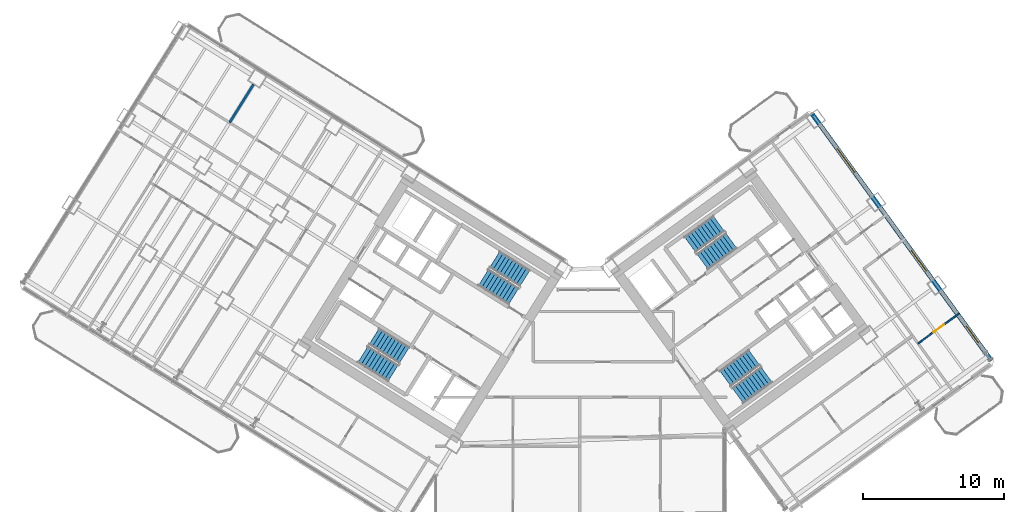
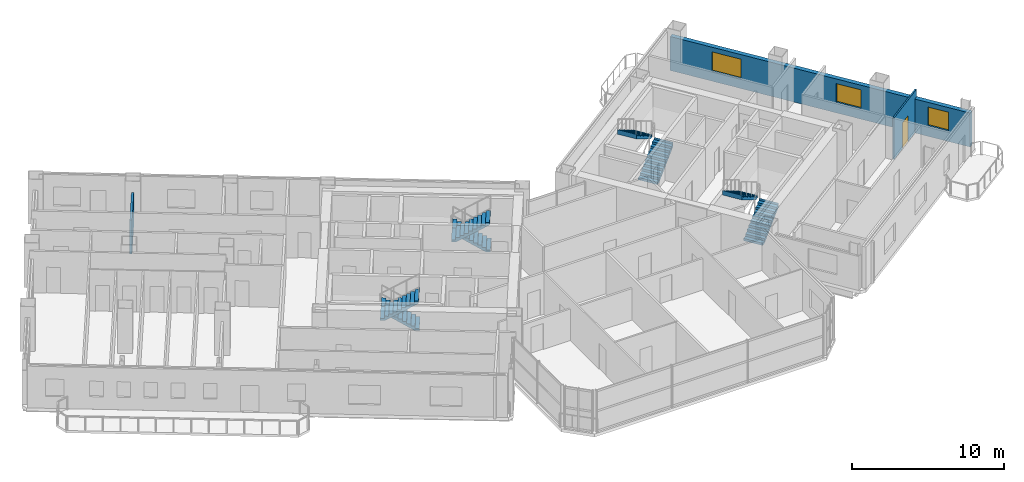
# One storey, part 20 of 28: 8 stair flights, 3 walls, 3 windows, 1 door, 4 openings, 4 elements without a shape of their own.
"""IFC4 building model written with IfcOpenShell, lengths in metres."""

import ifcopenshell
import ifcopenshell.guid

model = None  # the IFC model being written
_history = None  # IfcOwnerHistory: only IFC2X3 demands one
_inside = {}  # id of a spatial element -> (the spatial element, [elements in it])
_under = {}  # id of a project, library or spatial element -> (it, [spatial elements below it])
_declared = {}  # id of a project -> (the project, [libraries it declares])
_typed = {}  # id of a type object -> (the type object, [elements of that type])
_made_of = {}  # id of a material, layer set ... -> (it, [elements and type objects made of it])


def new_model(schema):
    """Start an empty IFC model of exactly this schema.

    Asked for "IFC4X3", IfcOpenShell would pick the latest addendum, in which some entities
    have other attributes; the version numbers below select the first issue.
    IFC2X3 requires an IfcOwnerHistory on every rooted entity: one is made here for all.
    """
    global model, _history
    if schema == "IFC4X3":
        model = ifcopenshell.file(schema_version=(4, 3, 0, 0))
    else:
        model = ifcopenshell.file(schema=schema)
    _inside.clear()
    _under.clear()
    _declared.clear()
    _typed.clear()
    _made_of.clear()
    _history = None
    if model.schema == "IFC2X3":
        org = make("IfcOrganization", Name="unknown")
        user = make(
            "IfcPersonAndOrganization",
            ThePerson=make("IfcPerson", FamilyName="unknown"),
            TheOrganization=org,
        )
        app = make(
            "IfcApplication",
            ApplicationDeveloper=org,
            Version="unknown",
            ApplicationFullName="unknown",
            ApplicationIdentifier="unknown",
        )
        _history = make(
            "IfcOwnerHistory",
            OwningUser=user,
            OwningApplication=app,
            ChangeAction="ADDED",
            CreationDate=0,
        )
    return model


def make(cls, **values):
    """One entity of the class cls with the attributes given. An attribute that is None is left unset."""
    return model.create_entity(
        cls, **{name: value for name, value in values.items() if value is not None}
    )


def rooted(cls, **values):
    """An entity with a GlobalId (a new one), such as an element, a storey or a relation."""
    return make(cls, GlobalId=ifcopenshell.guid.new(), OwnerHistory=_history, **values)


def si_unit(unit_type, name, prefix=None):
    """IfcSIUnit, for example si_unit("LENGTHUNIT", "METRE", prefix="MILLI")."""
    return make("IfcSIUnit", UnitType=unit_type, Prefix=prefix, Name=name)


def assignment(units):
    """IfcUnitAssignment: the units of a project."""
    return None if units is None else make("IfcUnitAssignment", Units=units)


def point(xyz):
    """IfcCartesianPoint."""
    return None if xyz is None else make("IfcCartesianPoint", Coordinates=xyz)


def direction(xyz):
    """IfcDirection."""
    return None if xyz is None else make("IfcDirection", DirectionRatios=xyz)


def frame(location, z_axis=None, x_axis=None):
    """IfcAxis2Placement3D, a coordinate frame: its origin and axes. An axis left out is left unset."""
    return make(
        "IfcAxis2Placement3D",
        Location=point(location),
        Axis=direction(z_axis),
        RefDirection=direction(x_axis),
    )


def frame_2d(location, x_axis=None):
    """IfcAxis2Placement2D, a coordinate frame in the plane: its origin and x axis."""
    return make(
        "IfcAxis2Placement2D", Location=point(location), RefDirection=direction(x_axis)
    )


def origin():
    """The frame at (0, 0, 0) with its axes left unset."""
    return frame((0.0, 0.0, 0.0))


def place(relative_to, where):
    """IfcLocalPlacement: puts the frame where relative to a parent placement (None: the world)."""
    return make(
        "IfcLocalPlacement", PlacementRelTo=relative_to, RelativePlacement=where
    )


def context(
    kind, dimensions, precision=None, world=None, true_north=None, identifier=None
):
    """IfcGeometricRepresentationContext, for example the 3D "Model" context."""
    return make(
        "IfcGeometricRepresentationContext",
        ContextIdentifier=identifier,
        ContextType=kind,
        CoordinateSpaceDimension=dimensions,
        Precision=precision,
        WorldCoordinateSystem=world,
        TrueNorth=true_north,
    )


def subcontext(parent, identifier, kind, view, scale=None):
    """IfcGeometricRepresentationSubContext, for example "Body" below "Model"."""
    return make(
        "IfcGeometricRepresentationSubContext",
        ContextIdentifier=identifier,
        ContextType=kind,
        ParentContext=parent,
        TargetScale=scale,
        TargetView=view,
    )


def project(units=None, contexts=None):
    """IfcProject with its units and contexts."""
    return rooted(
        "IfcProject",
        Name="project",
        RepresentationContexts=contexts,
        UnitsInContext=assignment(units),
    )


def spatial(cls, under=None, at=None, **own):
    """A site, building, storey or space (cls), placed at a placement, below another one or the project."""
    s = rooted(cls, ObjectPlacement=at, **own)
    if under is not None:
        _under.setdefault(under.id(), (under, []))[1].append(s)
    return s


def polyline(points):
    """IfcPolyline through the points."""
    return make("IfcPolyline", Points=[point(p) for p in points])


def profile(cls, at=None, kind="AREA", **sizes):
    """A parametric profile (cls). Its sizes go by their IFC names, for example OverallWidth=200.0."""
    return make(cls, ProfileType=kind, Position=at, **sizes)


def rectangle(**sizes):
    """IfcRectangleProfileDef."""
    return profile("IfcRectangleProfileDef", **sizes)


def outline(outer, holes=None, kind="AREA"):
    """IfcArbitraryClosedProfileDef: a profile drawn as a closed curve; with holes, ...WithVoids."""
    if holes is None:
        return make("IfcArbitraryClosedProfileDef", ProfileType=kind, OuterCurve=outer)
    return make(
        "IfcArbitraryProfileDefWithVoids",
        ProfileType=kind,
        OuterCurve=outer,
        InnerCurves=holes,
    )


def extrude(swept, where, along, depth):
    """IfcExtrudedAreaSolid: the profile swept, set in the frame where, extruded along a direction by depth."""
    return make(
        "IfcExtrudedAreaSolid",
        SweptArea=swept,
        Position=where,
        ExtrudedDirection=direction(along),
        Depth=depth,
    )


def shape(context_of_items, identifier, shape_type, items):
    """IfcShapeRepresentation: the items that make up one representation, for example the "Body"."""
    return make(
        "IfcShapeRepresentation",
        ContextOfItems=context_of_items,
        RepresentationIdentifier=identifier,
        RepresentationType=shape_type,
        Items=items,
    )


def source(mapping_origin, context_of_items, identifier, shape_type, items):
    """IfcRepresentationMap: a shape defined once, which mapped items show again and again."""
    return make(
        "IfcRepresentationMap",
        MappingOrigin=mapping_origin,
        MappedRepresentation=shape(context_of_items, identifier, shape_type, items),
    )


def transform(
    local_origin,
    x_axis=None,
    y_axis=None,
    z_axis=None,
    scale=None,
    scale2=None,
    scale3=None,
    uniform=True,
):
    """IfcCartesianTransformationOperator3D, or its non-uniform kind. x_axis, y_axis, z_axis: its Axis1, 2, 3."""
    if uniform:
        return make(
            "IfcCartesianTransformationOperator3D",
            Axis1=direction(x_axis),
            Axis2=direction(y_axis),
            LocalOrigin=point(local_origin),
            Scale=scale,
            Axis3=direction(z_axis),
        )
    return make(
        "IfcCartesianTransformationOperator3DnonUniform",
        Axis1=direction(x_axis),
        Axis2=direction(y_axis),
        LocalOrigin=point(local_origin),
        Scale=scale,
        Axis3=direction(z_axis),
        Scale2=scale2,
        Scale3=scale3,
    )


def mapped(mapping_source, mapping_target):
    """IfcMappedItem: shows the shape of a source again, moved by a transform."""
    return make(
        "IfcMappedItem", MappingSource=mapping_source, MappingTarget=mapping_target
    )


def material(Name=None, Category=None):
    """IfcMaterial."""
    return make("IfcMaterial", Name=Name, Category=Category)


def layer(
    of_material, thickness, ventilated=None, Name=None, Category=None, Priority=None
):
    """IfcMaterialLayer: one layer of a wall or slab, of a material (None: an air gap)."""
    return make(
        "IfcMaterialLayer",
        Material=of_material,
        LayerThickness=thickness,
        IsVentilated=ventilated,
        Name=Name,
        Category=Category,
        Priority=Priority,
    )


def layer_set(layers, Name=None):
    """IfcMaterialLayerSet."""
    return make("IfcMaterialLayerSet", MaterialLayers=layers, LayerSetName=Name)


def made_of(thing, what):
    """Note that an element or type object is made of a material, layer set ...; save() writes the relation."""
    if what is not None:
        _made_of.setdefault(what.id(), (what, []))[1].append(thing)
    return thing


def type_object(cls, material=None, **own):
    """A type object (cls), such as IfcWallType, which elements share."""
    return made_of(rooted(cls, **own), material)


def element(
    cls,
    number,
    at=None,
    inside=None,
    cuts=None,
    type_object=None,
    material=None,
    context=None,
    identifier="Body",
    shape_type=None,
    held_by="IfcProductDefinitionShape",
    body=None,
    shapes=None,
    **own,
):
    """One element of the class cls, such as IfcWall. Its Tag is "e" and its number.

    at: its placement. inside: the storey or other place that contains it. cuts: it is an
    opening in that element (IfcRelVoidsElement). A single representation is given by context,
    identifier, shape_type and body (its items); several are given by shapes. held_by: the class
    of the entity that holds the representations. save() writes the other relations.
    """
    e = rooted(cls, Tag="e%d" % number, ObjectPlacement=at, **own)
    if body is not None:
        shapes = [shape(context, identifier, shape_type, body)]
    if shapes is not None:
        e.Representation = make(held_by, Representations=shapes)
    if inside is not None:
        _inside.setdefault(inside.id(), (inside, []))[1].append(e)
    if cuts is not None:
        rooted(
            "IfcRelVoidsElement", RelatingBuildingElement=cuts, RelatedOpeningElement=e
        )
    if type_object is not None:
        _typed.setdefault(type_object.id(), (type_object, []))[1].append(e)
    return made_of(e, material)


def fill(opening, filler):
    """IfcRelFillsElement: the door or window that sits in an opening."""
    return rooted(
        "IfcRelFillsElement",
        RelatingOpeningElement=opening,
        RelatedBuildingElement=filler,
    )


def aggregate(whole, parts):
    """IfcRelAggregates: a whole, such as a stair, and the parts it consists of."""
    return rooted("IfcRelAggregates", RelatingObject=whole, RelatedObjects=parts)


def save(model, path):
    """Write the relations noted so far, then the file.

    IfcRelAggregates (storeys below a building ...), IfcRelContainedInSpatialStructure (elements
    in a storey), IfcRelDefinesByType, IfcRelAssociatesMaterial and IfcRelDeclares: one each for
    every whole, place, type object, material and project.
    """
    for whole, parts in _under.values():
        aggregate(whole, parts)
    for where, things in _inside.values():
        rooted(
            "IfcRelContainedInSpatialStructure",
            RelatedElements=things,
            RelatingStructure=where,
        )
    for kind, things in _typed.values():
        rooted("IfcRelDefinesByType", RelatedObjects=things, RelatingType=kind)
    for what, things in _made_of.values():
        rooted("IfcRelAssociatesMaterial", RelatedObjects=things, RelatingMaterial=what)
    for by, libraries in _declared.values():
        rooted("IfcRelDeclares", RelatingContext=by, RelatedDefinitions=libraries)
    model.write(path)


model = new_model("IFC4")

# Units and contexts
model_context = context("Model", 3, precision=1e-05, world=origin(), true_north=direction((0.0, 1.0)))
body_context = subcontext(model_context, "Body", "Model", "MODEL_VIEW")
ifc_project = project(units=[si_unit("LENGTHUNIT", "METRE"), si_unit("AREAUNIT", "SQUARE_METRE"), si_unit("VOLUMEUNIT", "CUBIC_METRE"), si_unit("PLANEANGLEUNIT", "RADIAN"), si_unit("MASSUNIT", "GRAM", prefix="KILO")], contexts=[model_context])

# Site, building, storey
site_placement = place(None, origin())
site = spatial("IfcSite", under=ifc_project, at=site_placement, CompositionType="ELEMENT")
building_placement = place(site_placement, origin())
building = spatial("IfcBuilding", under=site, at=building_placement, Name="Tlacorven Tower", CompositionType="ELEMENT")
storey_placement = place(building_placement, frame((0.0, 0.0, 27.60009765625)))
storey = spatial("IfcBuildingStorey", under=building, at=storey_placement, Name="L06", CompositionType="ELEMENT", Elevation=27.60009765625)

# Wall
ifc_material_1 = material(Name="Gypsum plasterboard acoustic partition", Category="gypsum")
ifc_layer_1 = layer(ifc_material_1, 0.159912109375)
ifc_layer_set_1 = layer_set([ifc_layer_1], Name="Gypsum plasterboard acoustic partition")
wall_type_1 = type_object("IfcWallType", Name="WL-DEM-160", PredefinedType="PARTITIONING", material=ifc_layer_set_1)
wall_1_placement = place(storey_placement, frame((18.799072265625, 37.601806640625, 0.0), z_axis=(0.0, 0.0, 1.0), x_axis=(-0.529930102756, -0.848041323399, 0.0)))
element("IfcWall", 1, at=wall_1_placement, inside=storey, type_object=wall_type_1, Name="L06 partition 68", PredefinedType="PARTITIONING", context=body_context, shape_type="SweptSolid", body=[
    extrude(rectangle(XDim=3.18798828125, YDim=0.159912109375, at=frame_2d((1.593994140625, 0.0))), origin(), (0.0, 0.0, 1.0), 2.724853515625),
])

# Wall, openings, windows
ifc_material_2 = material(Name="Precast concrete C45/55", Category="concrete")
ifc_layer_2 = layer(ifc_material_2, 0.320068359375)
ifc_layer_set_2 = layer_set([ifc_layer_2], Name="Precast concrete C45/55")
wall_type_2 = type_object("IfcWallType", Name="WL-EXT-320", PredefinedType="STANDARD", material=ifc_layer_set_2)
wall_2_placement = place(storey_placement, frame((58.45458984375, 35.483642578125, 0.0), z_axis=(0.0, 0.0, 1.0), x_axis=(0.587783625747, -0.809018176127, 0.0)))
wall_2 = element("IfcWall", 2, at=wall_2_placement, inside=storey, type_object=wall_type_2, Name="L06 Masonry-Frame Recessed Facade Wall 5", PredefinedType="STANDARD", context=body_context, shape_type="SweptSolid", body=[
    extrude(rectangle(XDim=21.58740234375, YDim=0.320068359375, at=frame_2d((10.793701171875, 0.0))), origin(), (0.0, 0.0, 1.0), 2.724853515625),
])
opening_1_placement = place(wall_2_placement, frame((2.99365234375, 0.0, 0.800048828125)))
opening_1 = element("IfcOpeningElement", 3, at=opening_1_placement, cuts=wall_2, Name="Opening WN04", PredefinedType="OPENING", context=body_context, shape_type="SweptSolid", body=[
    extrude(rectangle(XDim=2.10009765625, YDim=1.550048828125, at=frame_2d((1.050048828125, 0.77490234375))), frame((0.0, 0.169921875, 0.0), z_axis=(0.0, -1.0, 0.0), x_axis=(1.0, 0.0, 0.0)), (0.0, 0.0, 1.0), 0.340087890625),
])
opening_2_placement = place(wall_2_placement, frame((11.93359375, 0.0, 0.85009765625)))
opening_2 = element("IfcOpeningElement", 4, at=opening_2_placement, cuts=wall_2, Name="Opening WN01", PredefinedType="OPENING", context=body_context, shape_type="SweptSolid", body=[
    extrude(rectangle(XDim=1.800048828125, YDim=1.5, at=frame_2d((0.89990234375, 0.75))), frame((0.0, 0.169921875, 0.0), z_axis=(0.0, -1.0, 0.0), x_axis=(1.0, 0.0, 0.0)), (0.0, 0.0, 1.0), 0.340087890625),
])
opening_3_placement = place(wall_2_placement, frame((18.53466796875, 0.0, 0.85009765625)))
opening_3 = element("IfcOpeningElement", 5, at=opening_3_placement, cuts=wall_2, Name="Opening WN02", PredefinedType="OPENING", context=body_context, shape_type="SweptSolid", body=[
    extrude(rectangle(XDim=1.5, YDim=1.5, at=frame_2d((0.75, 0.75))), frame((0.0, 0.169921875, 0.0), z_axis=(0.0, -1.0, 0.0), x_axis=(1.0, 0.0, 0.0)), (0.0, 0.0, 1.0), 0.340087890625),
])
ifc_material_3 = material(Name="Dark solar low-E double glazing in anodised aluminium frame", Category="aluminium")
window_type_1 = type_object("IfcWindowType", Name="WN-APT-2100X1750", PartitioningType="SINGLE_PANEL", PredefinedType="WINDOW", material=ifc_material_3)
shared_shape_1 = source(origin(), body_context, "Body", "SweptSolid", [
    extrude(rectangle(XDim=2.10009765625, YDim=1.550048828125, at=frame_2d((1.050048828125, 0.77490234375))), frame((0.0, 0.030029296875, 0.0), z_axis=(0.0, -1.0, 0.0), x_axis=(1.0, 0.0, 0.0)), (0.0, 0.0, 1.0), 0.06005859375),
])
window_1_placement = place(opening_1_placement, origin())
window_1 = element("IfcWindow", 6, at=window_1_placement, inside=storey, type_object=window_type_1, Name="L06 Recessed Masonry-Frame Window L06-05.1", OverallHeight=1.550048828125, OverallWidth=2.10009765625, PartitioningType="SINGLE_PANEL", PredefinedType="WINDOW", context=body_context, shape_type="MappedRepresentation", body=[
    mapped(shared_shape_1, transform((0.0, 0.0, 0.0), scale=1.0)),
])
fill(opening_1, window_1)
window_type_2 = type_object("IfcWindowType", Name="WN-APT-1800X1650", PartitioningType="SINGLE_PANEL", PredefinedType="WINDOW", material=ifc_material_3)
shared_shape_2 = source(origin(), body_context, "Body", "SweptSolid", [
    extrude(rectangle(XDim=1.800048828125, YDim=1.5, at=frame_2d((0.89990234375, 0.75))), frame((0.0, 0.030029296875, 0.0), z_axis=(0.0, -1.0, 0.0), x_axis=(1.0, 0.0, 0.0)), (0.0, 0.0, 1.0), 0.06005859375),
])
window_2_placement = place(opening_2_placement, origin())
window_2 = element("IfcWindow", 7, at=window_2_placement, inside=storey, type_object=window_type_2, Name="L06 Recessed Masonry-Frame Window L06-05.2", OverallHeight=1.5, OverallWidth=1.800048828125, PartitioningType="SINGLE_PANEL", PredefinedType="WINDOW", context=body_context, shape_type="MappedRepresentation", body=[
    mapped(shared_shape_2, transform((0.0, 0.0, 0.0), scale=1.0)),
])
fill(opening_2, window_2)
window_type_3 = type_object("IfcWindowType", Name="WN-APT-1500X1650", PartitioningType="SINGLE_PANEL", PredefinedType="WINDOW", material=ifc_material_3)
shared_shape_3 = source(origin(), body_context, "Body", "SweptSolid", [
    extrude(rectangle(XDim=1.5, YDim=1.5, at=frame_2d((0.75, 0.75))), frame((0.0, 0.030029296875, 0.0), z_axis=(0.0, -1.0, 0.0), x_axis=(1.0, 0.0, 0.0)), (0.0, 0.0, 1.0), 0.06005859375),
])
window_3_placement = place(opening_3_placement, origin())
window_3 = element("IfcWindow", 8, at=window_3_placement, inside=storey, type_object=window_type_3, Name="L06 Recessed Masonry-Frame Window L06-05.3", OverallHeight=1.5, OverallWidth=1.5, PartitioningType="SINGLE_PANEL", PredefinedType="WINDOW", context=body_context, shape_type="MappedRepresentation", body=[
    mapped(shared_shape_3, transform((0.0, 0.0, 0.0), scale=1.0)),
])
fill(opening_3, window_3)

# Wall, opening, door
ifc_material_4 = material(Name="Gypsum plasterboard partition", Category="gypsum")
ifc_layer_3 = layer(ifc_material_4, 0.110107421875)
ifc_layer_set_3 = layer_set([ifc_layer_3], Name="Gypsum plasterboard partition")
wall_type_3 = type_object("IfcWallType", Name="WL-INT-110", PredefinedType="PARTITIONING", material=ifc_layer_set_3)
wall_3_placement = place(storey_placement, frame((65.9443359375, 19.237548828125, 0.0), z_axis=(0.0, 0.0, 1.0), x_axis=(0.809013833588, 0.587789602718, 0.0)))
wall_3 = element("IfcWall", 9, at=wall_3_placement, inside=storey, type_object=wall_type_3, Name="L06 partition 97", PredefinedType="PARTITIONING", context=body_context, shape_type="SweptSolid", body=[
    extrude(rectangle(XDim=3.60986328125, YDim=0.110107421875, at=frame_2d((1.804931640625, 0.0))), origin(), (0.0, 0.0, 1.0), 3.33984375),
])
opening_4_placement = place(wall_3_placement, frame((1.344970703125, 0.0, 0.0)))
opening_4 = element("IfcOpeningElement", 10, at=opening_4_placement, cuts=wall_3, Name="Opening D12", PredefinedType="OPENING", context=body_context, shape_type="SweptSolid", body=[
    extrude(rectangle(XDim=0.919921875, YDim=2.080078125, at=frame_2d((0.4599609375, 1.0400390625))), frame((0.0, 0.06494140625, 0.0), z_axis=(0.0, -1.0, 0.0), x_axis=(1.0, 0.0, 0.0)), (0.0, 0.0, 1.0), 0.130126953125),
])
ifc_material_5 = material(Name="Powder-coated aluminium and timber door", Category="wood")
door_type = type_object("IfcDoorType", Name="DR-INT-ROOM-0920", OperationType="NOTDEFINED", PredefinedType="DOOR", material=ifc_material_5)
shared_shape_4 = source(origin(), body_context, "Body", "SweptSolid", [
    extrude(rectangle(XDim=0.919921875, YDim=2.080078125, at=frame_2d((0.4599609375, 1.0400390625))), frame((0.0, 0.02490234375, 0.0), z_axis=(0.0, -1.0, 0.0), x_axis=(1.0, 0.0, 0.0)), (0.0, 0.0, 1.0), 0.050048828125),
])
door_placement = place(opening_4_placement, origin())
door = element("IfcDoor", 11, at=door_placement, inside=storey, type_object=door_type, Name="L06 door 058", OperationType="SINGLE_SWING_RIGHT", OverallHeight=2.080078125, OverallWidth=0.919921875, PredefinedType="DOOR", context=body_context, shape_type="MappedRepresentation", body=[
    mapped(shared_shape_4, transform((0.0, 0.0, 0.0), scale=1.0)),
])
fill(opening_4, door)

# Stair, stair flights
ifc_material_6 = material(Name="Concrete C40/50", Category="concrete")
stair_type = type_object("IfcStairType", Name="ST-CORE-DLG", PredefinedType="HALF_TURN_STAIR", material=ifc_material_6)
stair_1_placement = place(storey_placement, origin())
stair_1 = element("IfcStair", 12, at=stair_1_placement, inside=storey, type_object=stair_type, Name="L06 Protected Exit Stair West 1", PredefinedType="HALF_TURN_STAIR")
stair_flight_type = type_object("IfcStairFlightType", Name="SFL-RC-1380", PredefinedType="STRAIGHT", material=ifc_material_6)
shared_shape_5 = source(origin(), body_context, "Body", "SweptSolid", [
    extrude(outline(polyline([(-0.0029296875, -0.0029296875), (-0.0029296875, 0.179931640625), (0.280029296875, 0.179931640625), (0.280029296875, 0.360107421875), (0.56005859375, 0.360107421875), (0.56005859375, 0.5400390625), (0.840087890625, 0.5400390625), (0.840087890625, 0.719970703125), (1.1201171875, 0.719970703125), (1.1201171875, 0.89990234375), (1.39990234375, 0.89990234375), (1.39990234375, 1.080078125), (1.679931640625, 1.080078125), (1.679931640625, 1.260009765625), (1.9599609375, 1.260009765625), (1.9599609375, 1.43994140625), (2.239990234375, 1.43994140625), (2.239990234375, 1.6201171875), (2.52001953125, 1.6201171875), (2.52001953125, 1.800048828125), (2.52294921875, 1.800048828125), (2.52294921875, 1.429931640625), (2.52001953125, 1.429931640625), (0.295654296875, 0.0), (0.295654296875, -0.0029296875), (-0.0029296875, -0.0029296875)])), frame((0.0, 0.68994140625, 0.0), z_axis=(0.0, -1.0, 0.0), x_axis=(1.0, 0.0, 0.0)), (0.0, 0.0, 1.0), 1.3798828125),
])
stair_flight_1_placement = place(storey_placement, frame((29.499755859375, 18.39453125, 0.0), z_axis=(0.0, 0.0, 1.0), x_axis=(-0.848048096156, 0.529919264233, 0.0)))
stair_flight_1 = element("IfcStairFlight", 13, at=stair_flight_1_placement, type_object=stair_flight_type, Name="ST-W1 flight 1", NumberOfRisers=10, NumberOfTreads=9, PredefinedType="STRAIGHT", RiserHeight=0.18, TreadLength=0.28, context=body_context, shape_type="MappedRepresentation", body=[
    mapped(shared_shape_5, transform((0.0, 0.0, 0.0), scale=1.0)),
])
stair_flight_2_placement = place(storey_placement, frame((26.56787109375, 18.4580078125, 1.7998046875), z_axis=(0.0, 0.0, 1.0), x_axis=(0.848048096156, -0.529919264233, 0.0)))
stair_flight_2 = element("IfcStairFlight", 14, at=stair_flight_2_placement, type_object=stair_flight_type, Name="ST-W1 flight 2", NumberOfRisers=10, NumberOfTreads=9, PredefinedType="STRAIGHT", RiserHeight=0.18, TreadLength=0.28, context=body_context, shape_type="MappedRepresentation", body=[
    mapped(shared_shape_5, transform((0.0, 0.0, 0.0), scale=1.0)),
])
aggregate(stair_1, [stair_flight_1, stair_flight_2])

stair_2_placement = place(storey_placement, origin())
stair_2 = element("IfcStair", 15, at=stair_2_placement, inside=storey, type_object=stair_type, Name="L06 Protected Exit Stair West 2", PredefinedType="HALF_TURN_STAIR")
stair_flight_3_placement = place(storey_placement, frame((38.051513671875, 23.852294921875, 0.0), z_axis=(0.0, 0.0, 1.0), x_axis=(-0.848048096156, 0.529919264233, 0.0)))
stair_flight_3 = element("IfcStairFlight", 16, at=stair_flight_3_placement, type_object=stair_flight_type, Name="ST-W2 flight 1", NumberOfRisers=10, NumberOfTreads=9, PredefinedType="STRAIGHT", RiserHeight=0.18, TreadLength=0.28, context=body_context, shape_type="MappedRepresentation", body=[
    mapped(shared_shape_5, transform((0.0, 0.0, 0.0), scale=1.0)),
])
stair_flight_4_placement = place(storey_placement, frame((35.119384765625, 23.91552734375, 1.7998046875), z_axis=(0.0, 0.0, 1.0), x_axis=(0.848048096156, -0.529919264233, 0.0)))
stair_flight_4 = element("IfcStairFlight", 17, at=stair_flight_4_placement, type_object=stair_flight_type, Name="ST-W2 flight 2", NumberOfRisers=10, NumberOfTreads=9, PredefinedType="STRAIGHT", RiserHeight=0.18, TreadLength=0.28, context=body_context, shape_type="MappedRepresentation", body=[
    mapped(shared_shape_5, transform((0.0, 0.0, 0.0), scale=1.0)),
])
aggregate(stair_2, [stair_flight_3, stair_flight_4])

stair_3_placement = place(storey_placement, origin())
stair_3 = element("IfcStair", 18, at=stair_3_placement, inside=storey, type_object=stair_type, Name="L06 Protected Exit Stair East 1", PredefinedType="HALF_TURN_STAIR")
stair_flight_5_placement = place(storey_placement, frame((50.6533203125, 25.0400390625, 0.0), z_axis=(0.0, 0.0, 1.0), x_axis=(0.809016994375, 0.587785252292, 0.0)))
stair_flight_5 = element("IfcStairFlight", 19, at=stair_flight_5_placement, type_object=stair_flight_type, Name="ST-E1 flight 1", NumberOfRisers=10, NumberOfTreads=9, PredefinedType="STRAIGHT", RiserHeight=0.18, TreadLength=0.28, context=body_context, shape_type="MappedRepresentation", body=[
    mapped(shared_shape_5, transform((0.0, 0.0, 0.0), scale=1.0)),
])
stair_flight_6_placement = place(storey_placement, frame((51.810546875, 27.734619140625, 1.7998046875), z_axis=(0.0, 0.0, 1.0), x_axis=(-0.809016994375, -0.587785252292, 0.0)))
stair_flight_6 = element("IfcStairFlight", 20, at=stair_flight_6_placement, type_object=stair_flight_type, Name="ST-E1 flight 2", NumberOfRisers=10, NumberOfTreads=9, PredefinedType="STRAIGHT", RiserHeight=0.18, TreadLength=0.28, context=body_context, shape_type="MappedRepresentation", body=[
    mapped(shared_shape_5, transform((0.0, 0.0, 0.0), scale=1.0)),
])
aggregate(stair_3, [stair_flight_5, stair_flight_6])

stair_4_placement = place(storey_placement, origin())
stair_4 = element("IfcStair", 21, at=stair_4_placement, inside=storey, type_object=stair_type, Name="L06 Protected Exit Stair East 2", PredefinedType="HALF_TURN_STAIR")
stair_flight_7_placement = place(storey_placement, frame((53.157470703125, 15.536865234375, 0.0), z_axis=(0.0, 0.0, 1.0), x_axis=(0.809016994375, 0.587785252292, 0.0)))
stair_flight_7 = element("IfcStairFlight", 22, at=stair_flight_7_placement, type_object=stair_flight_type, Name="ST-E2 flight 1", NumberOfRisers=10, NumberOfTreads=9, PredefinedType="STRAIGHT", RiserHeight=0.18, TreadLength=0.28, context=body_context, shape_type="MappedRepresentation", body=[
    mapped(shared_shape_5, transform((0.0, 0.0, 0.0), scale=1.0)),
])
stair_flight_8_placement = place(storey_placement, frame((54.314453125, 18.231689453125, 1.7998046875), z_axis=(0.0, 0.0, 1.0), x_axis=(-0.809016994375, -0.587785252292, 0.0)))
stair_flight_8 = element("IfcStairFlight", 23, at=stair_flight_8_placement, type_object=stair_flight_type, Name="ST-E2 flight 2", NumberOfRisers=10, NumberOfTreads=9, PredefinedType="STRAIGHT", RiserHeight=0.18, TreadLength=0.28, context=body_context, shape_type="MappedRepresentation", body=[
    mapped(shared_shape_5, transform((0.0, 0.0, 0.0), scale=1.0)),
])
aggregate(stair_4, [stair_flight_7, stair_flight_8])

save(model, "model.ifc")
